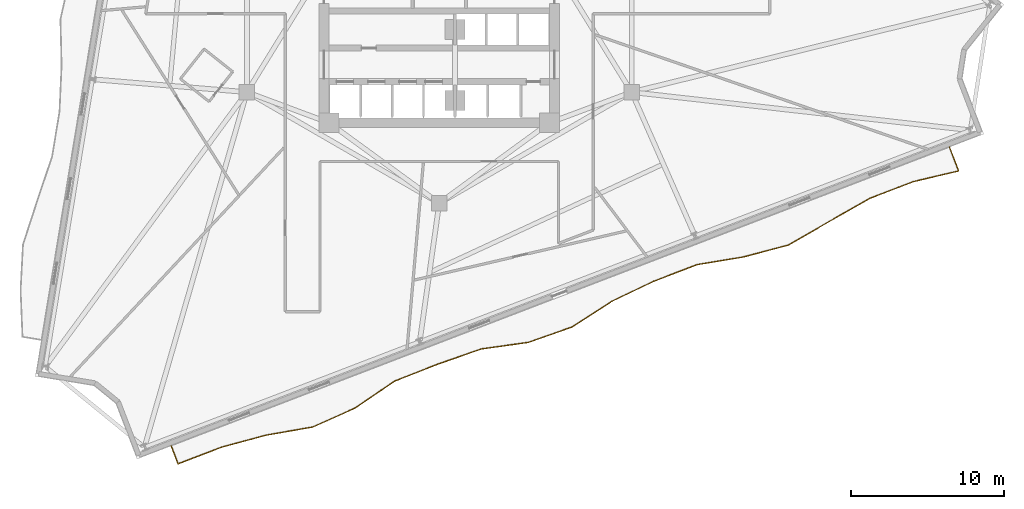
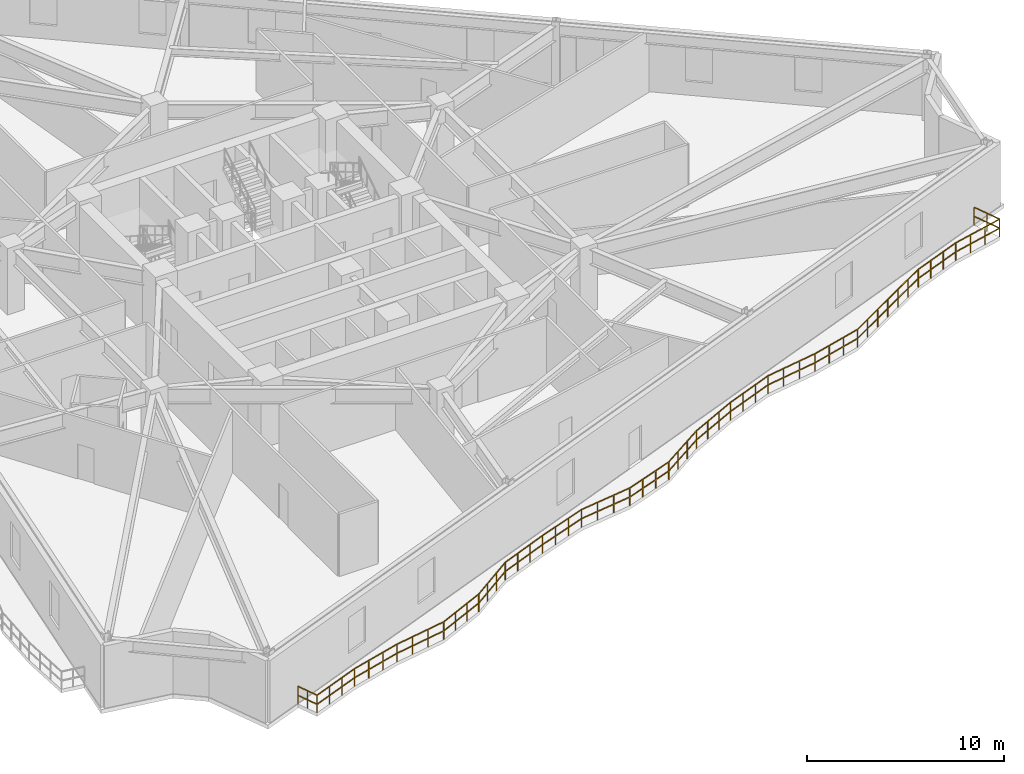
# One storey, part 8 of 11: 1 railing.
"""IFC4 building model written with IfcOpenShell, lengths in metres."""

from ifc_helpers import new_model, si_unit, direction, frame, origin, origin_2d, place, context, subcontext, project, spatial, rectangle, extrude, material, type_object, element, save


model = new_model("IFC4")

# Units and contexts
model_context = context("Model", 3, precision=1e-05, world=origin(), true_north=direction((0.0, 1.0)))
body_context = subcontext(model_context, "Body", "Model", "MODEL_VIEW")
ifc_project = project(units=[si_unit("LENGTHUNIT", "METRE"), si_unit("AREAUNIT", "SQUARE_METRE"), si_unit("VOLUMEUNIT", "CUBIC_METRE"), si_unit("PLANEANGLEUNIT", "RADIAN"), si_unit("MASSUNIT", "GRAM", prefix="KILO")], contexts=[model_context])

# Site, building, storey
site_placement = place(None, origin())
site = spatial("IfcSite", under=ifc_project, at=site_placement, CompositionType="ELEMENT")
building_placement = place(site_placement, origin())
building = spatial("IfcBuilding", under=site, at=building_placement, Name="Apsidion Concourse Tower", CompositionType="ELEMENT")
storey_placement = place(building_placement, frame((0.0, 0.0, 148.60009765625)))
storey = spatial("IfcBuildingStorey", under=building, at=storey_placement, Name="L34", CompositionType="ELEMENT", Elevation=148.60009765625)

# Railing
ifc_material = material(Name="Brushed stainless steel 316", Category="steel")
railing_type = type_object("IfcRailingType", Name="RL-BAL-1120", PredefinedType="BALUSTRADE", material=ifc_material)
railing_placement = place(storey_placement, frame((33.314208984375, -10.847900390625, 0.0)))
element("IfcRailing", 1, at=railing_placement, inside=storey, type_object=railing_type, Name="L34 Face 2 Rippling Balcony Balustrade", PredefinedType="BALUSTRADE", context=body_context, shape_type="SweptSolid", body=[
    extrude(rectangle(XDim=0.048095703125, YDim=0.048095703125, at=origin_2d()), frame((0.0, 0.0, 1.09619140625), z_axis=(0.358387246002, -0.933573019053, 0.0), x_axis=(0.933573019053, 0.358387246002, 0.0)), (0.0, 0.0, 1.0), 1.65869140625),
    extrude(rectangle(XDim=0.048095703125, YDim=0.048095703125, at=origin_2d()), frame((0.0, 0.0, 0.5361328125), z_axis=(0.358387246002, -0.933573019053, 0.0), x_axis=(0.933573019053, 0.358387246002, 0.0)), (0.0, 0.0, 1.0), 1.65869140625),
    extrude(rectangle(XDim=0.048095703125, YDim=0.048095703125, at=origin_2d()), frame((0.594482421875, -1.548583984375, 1.09619140625), z_axis=(-0.973164744359, -0.230109496405, 0.0), x_axis=(0.230109496405, -0.973164744359, 0.0)), (0.0, 0.0, 1.0), 3.05126953125),
    extrude(rectangle(XDim=0.048095703125, YDim=0.048095703125, at=origin_2d()), frame((0.594482421875, -1.548583984375, 0.5361328125), z_axis=(-0.973164744359, -0.230109496405, 0.0), x_axis=(0.230109496405, -0.973164744359, 0.0)), (0.0, 0.0, 1.0), 3.05126953125),
    extrude(rectangle(XDim=0.048095703125, YDim=0.048095703125, at=origin_2d()), frame((-2.375, -2.250732421875, 1.09619140625), z_axis=(-0.933586801128, -0.358351342623, 0.0), x_axis=(0.358351342623, -0.933586801128, 0.0)), (0.0, 0.0, 1.0), 3.0234375),
    extrude(rectangle(XDim=0.048095703125, YDim=0.048095703125, at=origin_2d()), frame((-2.375, -2.250732421875, 0.5361328125), z_axis=(-0.933586801128, -0.358351342623, 0.0), x_axis=(0.358351342623, -0.933586801128, 0.0)), (0.0, 0.0, 1.0), 3.0234375),
    extrude(rectangle(XDim=0.048095703125, YDim=0.048095703125, at=origin_2d()), frame((-5.19775390625, -3.334228515625, 1.09619140625), z_axis=(-0.868670119469, -0.49539098048, 0.0), x_axis=(0.49539098048, -0.868670119469, 0.0)), (0.0, 0.0, 1.0), 3.058837890625),
    extrude(rectangle(XDim=0.048095703125, YDim=0.048095703125, at=origin_2d()), frame((-5.19775390625, -3.334228515625, 0.5361328125), z_axis=(-0.868670119469, -0.49539098048, 0.0), x_axis=(0.49539098048, -0.868670119469, 0.0)), (0.0, 0.0, 1.0), 3.058837890625),
    extrude(rectangle(XDim=0.048095703125, YDim=0.048095703125, at=origin_2d()), frame((-7.85498046875, -4.849609375, 1.09619140625), z_axis=(-0.86551179661, -0.500888540424, 0.0), x_axis=(0.500888540424, -0.86551179661, 0.0)), (0.0, 0.0, 1.0), 3.06201171875),
    extrude(rectangle(XDim=0.048095703125, YDim=0.048095703125, at=origin_2d()), frame((-7.85498046875, -4.849609375, 0.5361328125), z_axis=(-0.86551179661, -0.500888540424, 0.0), x_axis=(0.500888540424, -0.86551179661, 0.0)), (0.0, 0.0, 1.0), 3.06201171875),
    extrude(rectangle(XDim=0.048095703125, YDim=0.048095703125, at=origin_2d()), frame((-10.505126953125, -6.38330078125, 1.09619140625), z_axis=(-0.966507530599, -0.256638253765, 0.0), x_axis=(0.256638253765, -0.966507530599, 0.0)), (0.0, 0.0, 1.0), 3.041259765625),
    extrude(rectangle(XDim=0.048095703125, YDim=0.048095703125, at=origin_2d()), frame((-10.505126953125, -6.38330078125, 0.5361328125), z_axis=(-0.966507530599, -0.256638253765, 0.0), x_axis=(0.256638253765, -0.966507530599, 0.0)), (0.0, 0.0, 1.0), 3.041259765625),
    extrude(rectangle(XDim=0.048095703125, YDim=0.048095703125, at=origin_2d()), frame((-13.444580078125, -7.163818359375, 1.09619140625), z_axis=(-0.986530403181, -0.163578004633, 0.0), x_axis=(0.163578004633, -0.986530403181, 0.0)), (0.0, 0.0, 1.0), 3.08642578125),
    extrude(rectangle(XDim=0.048095703125, YDim=0.048095703125, at=origin_2d()), frame((-13.444580078125, -7.163818359375, 0.5361328125), z_axis=(-0.986530403181, -0.163578004633, 0.0), x_axis=(0.163578004633, -0.986530403181, 0.0)), (0.0, 0.0, 1.0), 3.08642578125),
    extrude(rectangle(XDim=0.048095703125, YDim=0.048095703125, at=origin_2d()), frame((-16.489501953125, -7.668701171875, 1.09619140625), z_axis=(-0.93357015714, -0.35839470099, 0.0), x_axis=(0.35839470099, -0.93357015714, 0.0)), (0.0, 0.0, 1.0), 3.02392578125),
    extrude(rectangle(XDim=0.048095703125, YDim=0.048095703125, at=origin_2d()), frame((-16.489501953125, -7.668701171875, 0.5361328125), z_axis=(-0.93357015714, -0.35839470099, 0.0), x_axis=(0.35839470099, -0.93357015714, 0.0)), (0.0, 0.0, 1.0), 3.02392578125),
    extrude(rectangle(XDim=0.048095703125, YDim=0.048095703125, at=origin_2d()), frame((-19.3125, -8.75244140625, 1.09619140625), z_axis=(-0.902392848162, -0.430914315828, 0.0), x_axis=(0.430914315828, -0.902392848162, 0.0)), (0.0, 0.0, 1.0), 3.033447265625),
    extrude(rectangle(XDim=0.048095703125, YDim=0.048095703125, at=origin_2d()), frame((-19.3125, -8.75244140625, 0.5361328125), z_axis=(-0.902392848162, -0.430914315828, 0.0), x_axis=(0.430914315828, -0.902392848162, 0.0)), (0.0, 0.0, 1.0), 3.033447265625),
    extrude(rectangle(XDim=0.048095703125, YDim=0.048095703125, at=origin_2d()), frame((-22.0498046875, -10.0595703125, 1.09619140625), z_axis=(-0.839425992016, -0.543474014031, 0.0), x_axis=(0.543474014031, -0.839425992016, 0.0)), (0.0, 0.0, 1.0), 3.090087890625),
    extrude(rectangle(XDim=0.048095703125, YDim=0.048095703125, at=origin_2d()), frame((-22.0498046875, -10.0595703125, 0.5361328125), z_axis=(-0.839425992016, -0.543474014031, 0.0), x_axis=(0.543474014031, -0.839425992016, 0.0)), (0.0, 0.0, 1.0), 3.090087890625),
    extrude(rectangle(XDim=0.048095703125, YDim=0.048095703125, at=origin_2d()), frame((-24.643798828125, -11.739013671875, 1.09619140625), z_axis=(-0.94327307869, -0.332017919724, 0.0), x_axis=(0.332017919724, -0.94327307869, 0.0)), (0.0, 0.0, 1.0), 3.025146484375),
    extrude(rectangle(XDim=0.048095703125, YDim=0.048095703125, at=origin_2d()), frame((-24.643798828125, -11.739013671875, 0.5361328125), z_axis=(-0.94327307869, -0.332017919724, 0.0), x_axis=(0.332017919724, -0.94327307869, 0.0)), (0.0, 0.0, 1.0), 3.025146484375),
    extrude(rectangle(XDim=0.048095703125, YDim=0.048095703125, at=origin_2d()), frame((-27.497314453125, -12.743408203125, 1.09619140625), z_axis=(-0.990428163114, -0.138029177024, 0.0), x_axis=(0.138029177024, -0.990428163114, 0.0)), (0.0, 0.0, 1.0), 3.104248046875),
    extrude(rectangle(XDim=0.048095703125, YDim=0.048095703125, at=origin_2d()), frame((-27.497314453125, -12.743408203125, 0.5361328125), z_axis=(-0.990428163114, -0.138029177024, 0.0), x_axis=(0.138029177024, -0.990428163114, 0.0)), (0.0, 0.0, 1.0), 3.104248046875),
    extrude(rectangle(XDim=0.048095703125, YDim=0.048095703125, at=origin_2d()), frame((-30.57177734375, -13.171875, 1.09619140625), z_axis=(-0.943948914018, -0.330091574755, 0.0), x_axis=(0.330091574755, -0.943948914018, 0.0)), (0.0, 0.0, 1.0), 3.025146484375),
    extrude(rectangle(XDim=0.048095703125, YDim=0.048095703125, at=origin_2d()), frame((-30.57177734375, -13.171875, 0.5361328125), z_axis=(-0.943948914018, -0.330091574755, 0.0), x_axis=(0.330091574755, -0.943948914018, 0.0)), (0.0, 0.0, 1.0), 3.025146484375),
    extrude(rectangle(XDim=0.048095703125, YDim=0.048095703125, at=origin_2d()), frame((-33.42724609375, -14.17041015625, 1.09619140625), z_axis=(-0.930747568004, -0.365662364286, 0.0), x_axis=(0.365662364286, -0.930747568004, 0.0)), (0.0, 0.0, 1.0), 3.02392578125),
    extrude(rectangle(XDim=0.048095703125, YDim=0.048095703125, at=origin_2d()), frame((-33.42724609375, -14.17041015625, 0.5361328125), z_axis=(-0.930747568004, -0.365662364286, 0.0), x_axis=(0.365662364286, -0.930747568004, 0.0)), (0.0, 0.0, 1.0), 3.02392578125),
    extrude(rectangle(XDim=0.048095703125, YDim=0.048095703125, at=origin_2d()), frame((-36.24169921875, -15.276123046875, 1.09619140625), z_axis=(-0.825442112902, -0.564486774202, 0.0), x_axis=(0.564486774202, -0.825442112902, 0.0)), (0.0, 0.0, 1.0), 3.10791015625),
    extrude(rectangle(XDim=0.048095703125, YDim=0.048095703125, at=origin_2d()), frame((-36.24169921875, -15.276123046875, 0.5361328125), z_axis=(-0.825442112902, -0.564486774202, 0.0), x_axis=(0.564486774202, -0.825442112902, 0.0)), (0.0, 0.0, 1.0), 3.10791015625),
    extrude(rectangle(XDim=0.048095703125, YDim=0.048095703125, at=origin_2d()), frame((-38.80712890625, -17.030517578125, 1.09619140625), z_axis=(-0.912644177514, -0.408754945229, 0.0), x_axis=(0.408754945229, -0.912644177514, 0.0)), (0.0, 0.0, 1.0), 3.0283203125),
    extrude(rectangle(XDim=0.048095703125, YDim=0.048095703125, at=origin_2d()), frame((-38.80712890625, -17.030517578125, 0.5361328125), z_axis=(-0.912644177514, -0.408754945229, 0.0), x_axis=(0.408754945229, -0.912644177514, 0.0)), (0.0, 0.0, 1.0), 3.0283203125),
    extrude(rectangle(XDim=0.048095703125, YDim=0.048095703125, at=origin_2d()), frame((-41.57080078125, -18.268310546875, 1.09619140625), z_axis=(-0.985211173411, -0.171344517817, 0.0), x_axis=(0.171344517817, -0.985211173411, 0.0)), (0.0, 0.0, 1.0), 3.08203125),
    extrude(rectangle(XDim=0.048095703125, YDim=0.048095703125, at=origin_2d()), frame((-41.57080078125, -18.268310546875, 0.5361328125), z_axis=(-0.985211173411, -0.171344517817, 0.0), x_axis=(0.171344517817, -0.985211173411, 0.0)), (0.0, 0.0, 1.0), 3.08203125),
    extrude(rectangle(XDim=0.048095703125, YDim=0.048095703125, at=origin_2d()), frame((-44.607177734375, -18.79638671875, 1.09619140625), z_axis=(-0.965442622706, -0.260615698418, 0.0), x_axis=(0.260615698418, -0.965442622706, 0.0)), (0.0, 0.0, 1.0), 3.039794921875),
    extrude(rectangle(XDim=0.048095703125, YDim=0.048095703125, at=origin_2d()), frame((-44.607177734375, -18.79638671875, 0.5361328125), z_axis=(-0.965442622706, -0.260615698418, 0.0), x_axis=(0.260615698418, -0.965442622706, 0.0)), (0.0, 0.0, 1.0), 3.039794921875),
    extrude(rectangle(XDim=0.048095703125, YDim=0.048095703125, at=origin_2d()), frame((-47.5419921875, -19.588623046875, 1.09619140625), z_axis=(-0.93355978547, -0.358421716632, 0.0), x_axis=(0.358421716632, -0.93355978547, 0.0)), (0.0, 0.0, 1.0), 3.023681640625),
    extrude(rectangle(XDim=0.048095703125, YDim=0.048095703125, at=origin_2d()), frame((-47.5419921875, -19.588623046875, 0.5361328125), z_axis=(-0.93355978547, -0.358421716632, 0.0), x_axis=(0.358421716632, -0.93355978547, 0.0)), (0.0, 0.0, 1.0), 3.023681640625),
    extrude(rectangle(XDim=0.048095703125, YDim=0.048095703125, at=origin_2d()), frame((-50.36474609375, -20.67236328125, 1.09619140625), z_axis=(-0.358390063807, 0.933571937327, 0.0), x_axis=(-0.933571937327, -0.358390063807, 0.0)), (0.0, 0.0, 1.0), 1.25),
    extrude(rectangle(XDim=0.048095703125, YDim=0.048095703125, at=origin_2d()), frame((-50.36474609375, -20.67236328125, 0.5361328125), z_axis=(-0.358390063807, 0.933571937327, 0.0), x_axis=(-0.933571937327, -0.358390063807, 0.0)), (0.0, 0.0, 1.0), 1.25),
    extrude(rectangle(XDim=0.0419921875, YDim=0.0419921875, at=origin_2d()), origin(), (0.0, 0.0, 1.0), 1.072021484375),
    extrude(rectangle(XDim=0.0419921875, YDim=0.0419921875, at=origin_2d()), frame((0.29736328125, -0.7744140625, 0.0)), (0.0, 0.0, 1.0), 1.072021484375),
    extrude(rectangle(XDim=0.0419921875, YDim=0.0419921875, at=origin_2d()), frame((0.594482421875, -1.548583984375, 0.0)), (0.0, 0.0, 1.0), 1.072021484375),
    extrude(rectangle(XDim=0.0419921875, YDim=0.0419921875, at=origin_2d()), frame((-0.395263671875, -1.78271484375, 0.0)), (0.0, 0.0, 1.0), 1.072021484375),
    extrude(rectangle(XDim=0.0419921875, YDim=0.0419921875, at=origin_2d()), frame((-1.38525390625, -2.0166015625, 0.0)), (0.0, 0.0, 1.0), 1.072021484375),
    extrude(rectangle(XDim=0.0419921875, YDim=0.0419921875, at=origin_2d()), frame((-2.375, -2.250732421875, 0.0)), (0.0, 0.0, 1.0), 1.072021484375),
    extrude(rectangle(XDim=0.0419921875, YDim=0.0419921875, at=origin_2d()), frame((-3.31591796875, -2.61181640625, 0.0)), (0.0, 0.0, 1.0), 1.072021484375),
    extrude(rectangle(XDim=0.0419921875, YDim=0.0419921875, at=origin_2d()), frame((-4.2568359375, -2.97314453125, 0.0)), (0.0, 0.0, 1.0), 1.072021484375),
    extrude(rectangle(XDim=0.0419921875, YDim=0.0419921875, at=origin_2d()), frame((-5.19775390625, -3.334228515625, 0.0)), (0.0, 0.0, 1.0), 1.072021484375),
    extrude(rectangle(XDim=0.0419921875, YDim=0.0419921875, at=origin_2d()), frame((-6.08349609375, -3.83935546875, 0.0)), (0.0, 0.0, 1.0), 1.072021484375),
    extrude(rectangle(XDim=0.0419921875, YDim=0.0419921875, at=origin_2d()), frame((-6.96923828125, -4.344482421875, 0.0)), (0.0, 0.0, 1.0), 1.072021484375),
    extrude(rectangle(XDim=0.0419921875, YDim=0.0419921875, at=origin_2d()), frame((-7.85498046875, -4.849609375, 0.0)), (0.0, 0.0, 1.0), 1.072021484375),
    extrude(rectangle(XDim=0.0419921875, YDim=0.0419921875, at=origin_2d()), frame((-8.73828125, -5.36083984375, 0.0)), (0.0, 0.0, 1.0), 1.072021484375),
    extrude(rectangle(XDim=0.0419921875, YDim=0.0419921875, at=origin_2d()), frame((-9.621826171875, -5.8720703125, 0.0)), (0.0, 0.0, 1.0), 1.072021484375),
    extrude(rectangle(XDim=0.0419921875, YDim=0.0419921875, at=origin_2d()), frame((-10.505126953125, -6.38330078125, 0.0)), (0.0, 0.0, 1.0), 1.072021484375),
    extrude(rectangle(XDim=0.0419921875, YDim=0.0419921875, at=origin_2d()), frame((-11.48486328125, -6.6435546875, 0.0)), (0.0, 0.0, 1.0), 1.072021484375),
    extrude(rectangle(XDim=0.0419921875, YDim=0.0419921875, at=origin_2d()), frame((-12.46484375, -6.903564453125, 0.0)), (0.0, 0.0, 1.0), 1.072021484375),
    extrude(rectangle(XDim=0.0419921875, YDim=0.0419921875, at=origin_2d()), frame((-13.444580078125, -7.163818359375, 0.0)), (0.0, 0.0, 1.0), 1.072021484375),
    extrude(rectangle(XDim=0.0419921875, YDim=0.0419921875, at=origin_2d()), frame((-14.45947265625, -7.33203125, 0.0)), (0.0, 0.0, 1.0), 1.072021484375),
    extrude(rectangle(XDim=0.0419921875, YDim=0.0419921875, at=origin_2d()), frame((-15.474609375, -7.50048828125, 0.0)), (0.0, 0.0, 1.0), 1.072021484375),
    extrude(rectangle(XDim=0.0419921875, YDim=0.0419921875, at=origin_2d()), frame((-16.489501953125, -7.668701171875, 0.0)), (0.0, 0.0, 1.0), 1.072021484375),
    extrude(rectangle(XDim=0.0419921875, YDim=0.0419921875, at=origin_2d()), frame((-17.430419921875, -8.030029296875, 0.0)), (0.0, 0.0, 1.0), 1.072021484375),
    extrude(rectangle(XDim=0.0419921875, YDim=0.0419921875, at=origin_2d()), frame((-18.37158203125, -8.39111328125, 0.0)), (0.0, 0.0, 1.0), 1.072021484375),
    extrude(rectangle(XDim=0.0419921875, YDim=0.0419921875, at=origin_2d()), frame((-19.3125, -8.75244140625, 0.0)), (0.0, 0.0, 1.0), 1.072021484375),
    extrude(rectangle(XDim=0.0419921875, YDim=0.0419921875, at=origin_2d()), frame((-20.224853515625, -9.188232421875, 0.0)), (0.0, 0.0, 1.0), 1.072021484375),
    extrude(rectangle(XDim=0.0419921875, YDim=0.0419921875, at=origin_2d()), frame((-21.137451171875, -9.623779296875, 0.0)), (0.0, 0.0, 1.0), 1.072021484375),
    extrude(rectangle(XDim=0.0419921875, YDim=0.0419921875, at=origin_2d()), frame((-22.0498046875, -10.0595703125, 0.0)), (0.0, 0.0, 1.0), 1.072021484375),
    extrude(rectangle(XDim=0.0419921875, YDim=0.0419921875, at=origin_2d()), frame((-22.91455078125, -10.619384765625, 0.0)), (0.0, 0.0, 1.0), 1.072021484375),
    extrude(rectangle(XDim=0.0419921875, YDim=0.0419921875, at=origin_2d()), frame((-23.779052734375, -11.17919921875, 0.0)), (0.0, 0.0, 1.0), 1.072021484375),
    extrude(rectangle(XDim=0.0419921875, YDim=0.0419921875, at=origin_2d()), frame((-24.643798828125, -11.739013671875, 0.0)), (0.0, 0.0, 1.0), 1.072021484375),
    extrude(rectangle(XDim=0.0419921875, YDim=0.0419921875, at=origin_2d()), frame((-25.594970703125, -12.07373046875, 0.0)), (0.0, 0.0, 1.0), 1.072021484375),
    extrude(rectangle(XDim=0.0419921875, YDim=0.0419921875, at=origin_2d()), frame((-26.546142578125, -12.40869140625, 0.0)), (0.0, 0.0, 1.0), 1.072021484375),
    extrude(rectangle(XDim=0.0419921875, YDim=0.0419921875, at=origin_2d()), frame((-27.497314453125, -12.743408203125, 0.0)), (0.0, 0.0, 1.0), 1.072021484375),
    extrude(rectangle(XDim=0.0419921875, YDim=0.0419921875, at=origin_2d()), frame((-28.522216796875, -12.88623046875, 0.0)), (0.0, 0.0, 1.0), 1.072021484375),
    extrude(rectangle(XDim=0.0419921875, YDim=0.0419921875, at=origin_2d()), frame((-29.546875, -13.029052734375, 0.0)), (0.0, 0.0, 1.0), 1.072021484375),
    extrude(rectangle(XDim=0.0419921875, YDim=0.0419921875, at=origin_2d()), frame((-30.57177734375, -13.171875, 0.0)), (0.0, 0.0, 1.0), 1.072021484375),
    extrude(rectangle(XDim=0.0419921875, YDim=0.0419921875, at=origin_2d()), frame((-31.523681640625, -13.504638671875, 0.0)), (0.0, 0.0, 1.0), 1.072021484375),
    extrude(rectangle(XDim=0.0419921875, YDim=0.0419921875, at=origin_2d()), frame((-32.475341796875, -13.837646484375, 0.0)), (0.0, 0.0, 1.0), 1.072021484375),
    extrude(rectangle(XDim=0.0419921875, YDim=0.0419921875, at=origin_2d()), frame((-33.42724609375, -14.17041015625, 0.0)), (0.0, 0.0, 1.0), 1.072021484375),
    extrude(rectangle(XDim=0.0419921875, YDim=0.0419921875, at=origin_2d()), frame((-34.365478515625, -14.5390625, 0.0)), (0.0, 0.0, 1.0), 1.072021484375),
    extrude(rectangle(XDim=0.0419921875, YDim=0.0419921875, at=origin_2d()), frame((-35.303466796875, -14.907470703125, 0.0)), (0.0, 0.0, 1.0), 1.072021484375),
    extrude(rectangle(XDim=0.0419921875, YDim=0.0419921875, at=origin_2d()), frame((-36.24169921875, -15.276123046875, 0.0)), (0.0, 0.0, 1.0), 1.072021484375),
    extrude(rectangle(XDim=0.0419921875, YDim=0.0419921875, at=origin_2d()), frame((-37.096923828125, -15.86083984375, 0.0)), (0.0, 0.0, 1.0), 1.072021484375),
    extrude(rectangle(XDim=0.0419921875, YDim=0.0419921875, at=origin_2d()), frame((-37.951904296875, -16.44580078125, 0.0)), (0.0, 0.0, 1.0), 1.072021484375),
    extrude(rectangle(XDim=0.0419921875, YDim=0.0419921875, at=origin_2d()), frame((-38.80712890625, -17.030517578125, 0.0)), (0.0, 0.0, 1.0), 1.072021484375),
    extrude(rectangle(XDim=0.0419921875, YDim=0.0419921875, at=origin_2d()), frame((-39.728271484375, -17.443115234375, 0.0)), (0.0, 0.0, 1.0), 1.072021484375),
    extrude(rectangle(XDim=0.0419921875, YDim=0.0419921875, at=origin_2d()), frame((-40.649658203125, -17.855712890625, 0.0)), (0.0, 0.0, 1.0), 1.072021484375),
    extrude(rectangle(XDim=0.0419921875, YDim=0.0419921875, at=origin_2d()), frame((-41.57080078125, -18.268310546875, 0.0)), (0.0, 0.0, 1.0), 1.072021484375),
    extrude(rectangle(XDim=0.0419921875, YDim=0.0419921875, at=origin_2d()), frame((-42.5830078125, -18.4443359375, 0.0)), (0.0, 0.0, 1.0), 1.072021484375),
    extrude(rectangle(XDim=0.0419921875, YDim=0.0419921875, at=origin_2d()), frame((-43.594970703125, -18.620361328125, 0.0)), (0.0, 0.0, 1.0), 1.072021484375),
    extrude(rectangle(XDim=0.0419921875, YDim=0.0419921875, at=origin_2d()), frame((-44.607177734375, -18.79638671875, 0.0)), (0.0, 0.0, 1.0), 1.072021484375),
    extrude(rectangle(XDim=0.0419921875, YDim=0.0419921875, at=origin_2d()), frame((-45.58544921875, -19.060546875, 0.0)), (0.0, 0.0, 1.0), 1.072021484375),
    extrude(rectangle(XDim=0.0419921875, YDim=0.0419921875, at=origin_2d()), frame((-46.563720703125, -19.324462890625, 0.0)), (0.0, 0.0, 1.0), 1.072021484375),
    extrude(rectangle(XDim=0.0419921875, YDim=0.0419921875, at=origin_2d()), frame((-47.5419921875, -19.588623046875, 0.0)), (0.0, 0.0, 1.0), 1.072021484375),
    extrude(rectangle(XDim=0.0419921875, YDim=0.0419921875, at=origin_2d()), frame((-48.48291015625, -19.949951171875, 0.0)), (0.0, 0.0, 1.0), 1.072021484375),
    extrude(rectangle(XDim=0.0419921875, YDim=0.0419921875, at=origin_2d()), frame((-49.423828125, -20.31103515625, 0.0)), (0.0, 0.0, 1.0), 1.072021484375),
    extrude(rectangle(XDim=0.0419921875, YDim=0.0419921875, at=origin_2d()), frame((-50.36474609375, -20.67236328125, 0.0)), (0.0, 0.0, 1.0), 1.072021484375),
    extrude(rectangle(XDim=0.0419921875, YDim=0.0419921875, at=origin_2d()), frame((-50.5888671875, -20.0888671875, 0.0)), (0.0, 0.0, 1.0), 1.072021484375),
    extrude(rectangle(XDim=0.0419921875, YDim=0.0419921875, at=origin_2d()), frame((-50.812744140625, -19.50537109375, 0.0)), (0.0, 0.0, 1.0), 1.072021484375),
])

save(model, "model.ifc")
